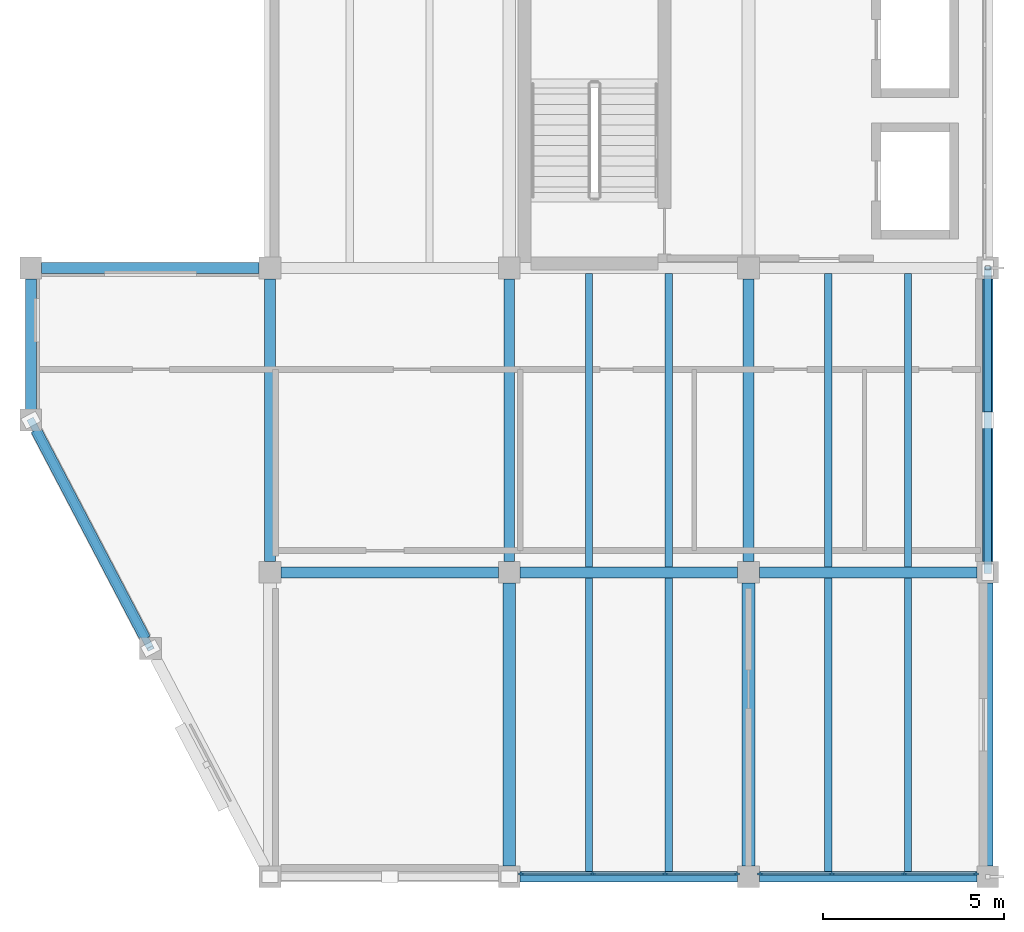
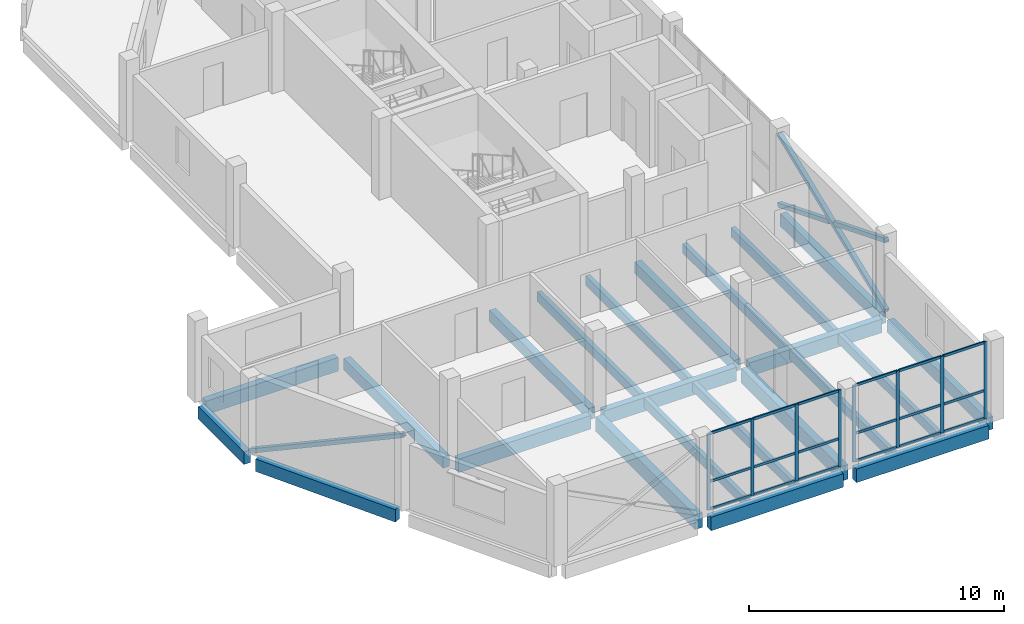
# One storey, part 2 of 10: 30 members, 23 beams, 2 elements without a shape of their own.
"""IFC4 building model written with IfcOpenShell, lengths in metres."""

from ifc_helpers import new_model, si_unit, direction, frame, origin, origin_2d, place, context, subcontext, project, spatial, rectangle, hollow_rectangle, extrude, material, material_profile, profile_set, type_object, element, aggregate, save


model = new_model("IFC4")

# Units and contexts
model_context = context("Model", 3, precision=1e-05, world=origin(), true_north=direction((0.0, 1.0)))
body_context = subcontext(model_context, "Body", "Model", "MODEL_VIEW")
ifc_project = project(units=[si_unit("LENGTHUNIT", "METRE"), si_unit("AREAUNIT", "SQUARE_METRE"), si_unit("VOLUMEUNIT", "CUBIC_METRE"), si_unit("PLANEANGLEUNIT", "RADIAN"), si_unit("MASSUNIT", "GRAM", prefix="KILO")], contexts=[model_context])

# Site, building, storey
site_placement = place(None, origin())
site = spatial("IfcSite", under=ifc_project, at=site_placement, CompositionType="ELEMENT")
building_placement = place(site_placement, origin())
building = spatial("IfcBuilding", under=site, at=building_placement, Name="Qaldarim Faculty of Natural and Applied Sciences", CompositionType="ELEMENT")
storey_placement = place(building_placement, frame((0.0, 0.0, 39.300048828125)))
storey = spatial("IfcBuildingStorey", under=building, at=storey_placement, Name="L09", CompositionType="ELEMENT", Elevation=39.300048828125)

# Beams
ifc_material_1 = material(Name="Concrete C40/50", Category="concrete")
ifc_material_profile_1 = material_profile(ifc_material_1, rectangle(XDim=0.300048828125, YDim=0.550048828125, at=origin_2d()), Name="RC-B300x550")
ifc_profile_set_1 = profile_set([ifc_material_profile_1], Name="Concrete C40/50")
beam_type_1 = type_object("IfcBeamType", Name="FloorBeam-RC300x550", PredefinedType="BEAM", material=ifc_profile_set_1)
for number, where, z_axis, x_axis, name in (
    (1, (158.39990234375, 8.699951171875, -0.4951171875), (0.0, 1.0, 0.0), (-1.0, 0.0, 0.0), "Beam RC-B300x550 L08 X25/Y02-Y03"),
    (2, (165.0, 8.699951171875, -0.4951171875), (0.0, 1.0, 0.0), (-1.0, 0.0, 0.0), "Beam RC-B300x550 L08 X26/Y02-Y03"),
    (3, (171.60009765625, 8.699951171875, -0.4951171875), (0.0, 1.0, 0.0), (-1.0, 0.0, 0.0), "Beam RC-B300x550 L08 X27/Y02-Y03"),
):
    element("IfcBeam", number, at=place(storey_placement, frame(where, z_axis=z_axis, x_axis=x_axis)), inside=storey, type_object=beam_type_1, Name=name, PredefinedType="BEAM", context=body_context, shape_type="SweptSolid", body=[
        extrude(rectangle(XDim=0.300048828125, YDim=0.550048828125, at=origin_2d()), origin(), (0.0, 0.0, 1.0), 7.800048828125),
    ])
ifc_material_profile_2 = material_profile(ifc_material_1, rectangle(XDim=0.199951171875, YDim=0.449951171875, at=origin_2d()), Name="RC-J200x450")
ifc_profile_set_2 = profile_set([ifc_material_profile_2], Name="Concrete C40/50")
beam_type_2 = type_object("IfcBeamType", Name="LabJoist-RC200x450", PredefinedType="JOIST", material=ifc_profile_set_2)
for number, where, z_axis, x_axis, name in (
    (4, (167.199951171875, 0.14990234375, -0.445068359375), (0.0, 1.0, 0.0), (-1.0, 0.0, 0.0), "Laboratory joist L08 bay X26Y01-1"),
    (5, (169.39990234375, 0.14990234375, -0.445068359375), (0.0, 1.0, 0.0), (-1.0, 0.0, 0.0), "Laboratory joist L08 bay X26Y01-2"),
):
    element("IfcBeam", number, at=place(storey_placement, frame(where, z_axis=z_axis, x_axis=x_axis)), inside=storey, type_object=beam_type_2, Name=name, PredefinedType="JOIST", context=body_context, shape_type="SweptSolid", body=[
        extrude(rectangle(XDim=0.199951171875, YDim=0.449951171875, at=origin_2d()), origin(), (0.0, 0.0, 1.0), 8.10009765625),
    ])
for number, where, z_axis, x_axis, name in (
    (6, (167.199951171875, 8.550048828125, -0.445068359375), (0.0, 1.0, 0.0), (-1.0, 0.0, 0.0), "Laboratory joist L08 bay X26Y02-1"),
    (7, (169.39990234375, 8.550048828125, -0.445068359375), (0.0, 1.0, 0.0), (-1.0, 0.0, 0.0), "Laboratory joist L08 bay X26Y02-2"),
):
    element("IfcBeam", number, at=place(storey_placement, frame(where, z_axis=z_axis, x_axis=x_axis)), inside=storey, type_object=beam_type_2, Name=name, PredefinedType="JOIST", context=body_context, shape_type="SweptSolid", body=[
        extrude(rectangle(XDim=0.199951171875, YDim=0.449951171875, at=origin_2d()), origin(), (0.0, 0.0, 1.0), 8.099853515625),
    ])
for number, where, z_axis, x_axis, name in (
    (8, (173.800048828125, 0.14990234375, -0.445068359375), (0.0, 1.0, 0.0), (-1.0, 0.0, 0.0), "Laboratory joist L08 bay X27Y01-1"),
    (9, (176.0, 0.14990234375, -0.445068359375), (0.0, 1.0, 0.0), (-1.0, 0.0, 0.0), "Laboratory joist L08 bay X27Y01-2"),
):
    element("IfcBeam", number, at=place(storey_placement, frame(where, z_axis=z_axis, x_axis=x_axis)), inside=storey, type_object=beam_type_2, Name=name, PredefinedType="JOIST", context=body_context, shape_type="SweptSolid", body=[
        extrude(rectangle(XDim=0.199951171875, YDim=0.449951171875, at=origin_2d()), origin(), (0.0, 0.0, 1.0), 8.10009765625),
    ])
for number, where, z_axis, x_axis, name in (
    (10, (173.800048828125, 8.550048828125, -0.445068359375), (0.0, 1.0, 0.0), (-1.0, 0.0, 0.0), "Laboratory joist L08 bay X27Y02-1"),
    (11, (176.0, 8.550048828125, -0.445068359375), (0.0, 1.0, 0.0), (-1.0, 0.0, 0.0), "Laboratory joist L08 bay X27Y02-2"),
):
    element("IfcBeam", number, at=place(storey_placement, frame(where, z_axis=z_axis, x_axis=x_axis)), inside=storey, type_object=beam_type_2, Name=name, PredefinedType="JOIST", context=body_context, shape_type="SweptSolid", body=[
        extrude(rectangle(XDim=0.199951171875, YDim=0.449951171875, at=origin_2d()), origin(), (0.0, 0.0, 1.0), 8.099853515625),
    ])

# Curtain wall, members
ifc_material_2 = material(Name="Anodised aluminium AW-6063", Category="aluminium")
curtain_wall_type = type_object("IfcCurtainWallType", Name="CurtainWallSystem-M1950", PredefinedType="USERDEFINED", material=ifc_material_2)
curtain_wall_1_placement = place(storey_placement, origin())
curtain_wall_1 = element("IfcCurtainWall", 12, at=curtain_wall_1_placement, inside=storey, type_object=curtain_wall_type, Name="Curtain wall CW-L09-S-X26Y01", ObjectType="UNITISED FACADE", PredefinedType="USERDEFINED")
ifc_material_profile_3 = material_profile(ifc_material_2, rectangle(XDim=0.06005859375, YDim=0.14990234375, at=origin_2d()), Name="ALU-M60x150")
ifc_profile_set_3 = profile_set([ifc_material_profile_3], Name="Anodised aluminium AW-6063")
member_type_1 = type_object("IfcMemberType", Name="Mullion-ALU60x150", PredefinedType="MULLION", material=ifc_profile_set_3)
member_1_placement = place(storey_placement, frame((165.324951171875, 0.080078125, 0.0), z_axis=(0.0, 0.0, 1.0), x_axis=(0.0, 1.0, 0.0)))
member_1 = element("IfcMember", 13, at=member_1_placement, type_object=member_type_1, Name="Mullion 1 of CW-L09-S-X26Y01", PredefinedType="MULLION", context=body_context, shape_type="SweptSolid", body=[
    extrude(rectangle(XDim=0.06005859375, YDim=0.14990234375, at=origin_2d()), origin(), (0.0, 0.0, 1.0), 3.679931640625),
])
member_2_placement = place(storey_placement, frame((167.29833984375, 0.080078125, 0.0), z_axis=(0.0, 0.0, 1.0), x_axis=(0.0, 1.0, 0.0)))
member_2 = element("IfcMember", 14, at=member_2_placement, type_object=member_type_1, Name="Mullion 2 of CW-L09-S-X26Y01", PredefinedType="MULLION", context=body_context, shape_type="SweptSolid", body=[
    extrude(rectangle(XDim=0.06005859375, YDim=0.14990234375, at=origin_2d()), origin(), (0.0, 0.0, 1.0), 3.679931640625),
])
member_3_placement = place(storey_placement, frame((169.3017578125, 0.080078125, 0.0), z_axis=(0.0, 0.0, 1.0), x_axis=(0.0, 1.0, 0.0)))
member_3 = element("IfcMember", 15, at=member_3_placement, type_object=member_type_1, Name="Mullion 3 of CW-L09-S-X26Y01", PredefinedType="MULLION", context=body_context, shape_type="SweptSolid", body=[
    extrude(rectangle(XDim=0.06005859375, YDim=0.14990234375, at=origin_2d()), origin(), (0.0, 0.0, 1.0), 3.679931640625),
])
member_4_placement = place(storey_placement, frame((171.27490234375, 0.080078125, 0.0), z_axis=(0.0, 0.0, 1.0), x_axis=(0.0, 1.0, 0.0)))
member_4 = element("IfcMember", 16, at=member_4_placement, type_object=member_type_1, Name="Mullion 4 of CW-L09-S-X26Y01", PredefinedType="MULLION", context=body_context, shape_type="SweptSolid", body=[
    extrude(rectangle(XDim=0.06005859375, YDim=0.14990234375, at=origin_2d()), origin(), (0.0, 0.0, 1.0), 3.679931640625),
])

curtain_wall_2_placement = place(storey_placement, origin())
curtain_wall_2 = element("IfcCurtainWall", 17, at=curtain_wall_2_placement, inside=storey, type_object=curtain_wall_type, Name="Curtain wall CW-L09-S-X27Y01", ObjectType="UNITISED FACADE", PredefinedType="USERDEFINED")
member_5_placement = place(storey_placement, frame((171.925048828125, 0.080078125, 0.0), z_axis=(0.0, 0.0, 1.0), x_axis=(0.0, 1.0, 0.0)))
member_5 = element("IfcMember", 18, at=member_5_placement, type_object=member_type_1, Name="Mullion 1 of CW-L09-S-X27Y01", PredefinedType="MULLION", context=body_context, shape_type="SweptSolid", body=[
    extrude(rectangle(XDim=0.06005859375, YDim=0.14990234375, at=origin_2d()), origin(), (0.0, 0.0, 1.0), 3.679931640625),
])
member_6_placement = place(storey_placement, frame((173.898193359375, 0.080078125, 0.0), z_axis=(0.0, 0.0, 1.0), x_axis=(0.0, 1.0, 0.0)))
member_6 = element("IfcMember", 19, at=member_6_placement, type_object=member_type_1, Name="Mullion 2 of CW-L09-S-X27Y01", PredefinedType="MULLION", context=body_context, shape_type="SweptSolid", body=[
    extrude(rectangle(XDim=0.06005859375, YDim=0.14990234375, at=origin_2d()), origin(), (0.0, 0.0, 1.0), 3.679931640625),
])
member_7_placement = place(storey_placement, frame((175.901611328125, 0.080078125, 0.0), z_axis=(0.0, 0.0, 1.0), x_axis=(0.0, 1.0, 0.0)))
member_7 = element("IfcMember", 20, at=member_7_placement, type_object=member_type_1, Name="Mullion 3 of CW-L09-S-X27Y01", PredefinedType="MULLION", context=body_context, shape_type="SweptSolid", body=[
    extrude(rectangle(XDim=0.06005859375, YDim=0.14990234375, at=origin_2d()), origin(), (0.0, 0.0, 1.0), 3.679931640625),
])
member_8_placement = place(storey_placement, frame((177.875, 0.080078125, 0.0), z_axis=(0.0, 0.0, 1.0), x_axis=(0.0, 1.0, 0.0)))
member_8 = element("IfcMember", 21, at=member_8_placement, type_object=member_type_1, Name="Mullion 4 of CW-L09-S-X27Y01", PredefinedType="MULLION", context=body_context, shape_type="SweptSolid", body=[
    extrude(rectangle(XDim=0.06005859375, YDim=0.14990234375, at=origin_2d()), origin(), (0.0, 0.0, 1.0), 3.679931640625),
])

# Beams
ifc_material_profile_4 = material_profile(ifc_material_1, rectangle(XDim=0.300048828125, YDim=0.64990234375, at=origin_2d()), Name="RC-B300x650")
ifc_profile_set_4 = profile_set([ifc_material_profile_4], Name="Concrete C40/50")
beam_type_3 = type_object("IfcBeamType", Name="PrimaryBeam-RC300x650", PredefinedType="BEAM", material=ifc_profile_set_4)
for number, where, z_axis, x_axis, name in (
    (22, (165.300048828125, 0.0, -0.545166015625), (1.0, 0.0, 0.0), (0.0, 1.0, 0.0), "Beam RC-B300x650 L08 X26-X27/Y01"),
    (23, (171.89990234375, 0.0, -0.545166015625), (1.0, 0.0, 0.0), (0.0, 1.0, 0.0), "Beam RC-B300x650 L08 X27-X28/Y01"),
    (24, (158.699951171875, 8.39990234375, -0.545166015625), (1.0, 0.0, 0.0), (0.0, 1.0, 0.0), "Beam RC-B300x650 L08 X25-X26/Y02"),
    (25, (165.300048828125, 8.39990234375, -0.545166015625), (1.0, 0.0, 0.0), (0.0, 1.0, 0.0), "Beam RC-B300x650 L08 X26-X27/Y02"),
    (26, (171.89990234375, 8.39990234375, -0.545166015625), (1.0, 0.0, 0.0), (0.0, 1.0, 0.0), "Beam RC-B300x650 L08 X27-X28/Y02"),
    (27, (152.10009765625, 16.800048828125, -0.545166015625), (1.0, 0.0, 0.0), (0.0, 1.0, 0.0), "Beam RC-B300x650 L08 X24-X25/Y03"),
):
    element("IfcBeam", number, at=place(storey_placement, frame(where, z_axis=z_axis, x_axis=x_axis)), inside=storey, type_object=beam_type_3, Name=name, PredefinedType="BEAM", context=body_context, shape_type="SweptSolid", body=[
        extrude(rectangle(XDim=0.300048828125, YDim=0.64990234375, at=origin_2d()), origin(), (0.0, 0.0, 1.0), 6.0),
    ])
ifc_material_profile_5 = material_profile(ifc_material_1, rectangle(XDim=0.35009765625, YDim=0.699951171875, at=origin_2d()), Name="RC-B350x700")
ifc_profile_set_5 = profile_set([ifc_material_profile_5], Name="Concrete C40/50")
beam_type_4 = type_object("IfcBeamType", Name="PrimaryGirder-RC350x700", PredefinedType="BEAM", material=ifc_profile_set_5)
for number, where, z_axis, x_axis, name in (
    (28, (165.0, 0.300048828125, -0.570068359375), (0.0, 1.0, 0.0), (-1.0, 0.0, 0.0), "Beam RC-B350x700 L08 X26/Y01-Y02"),
    (29, (171.60009765625, 0.300048828125, -0.570068359375), (0.0, 1.0, 0.0), (-1.0, 0.0, 0.0), "Beam RC-B350x700 L08 X27/Y01-Y02"),
):
    element("IfcBeam", number, at=place(storey_placement, frame(where, z_axis=z_axis, x_axis=x_axis)), inside=storey, type_object=beam_type_4, Name=name, PredefinedType="BEAM", context=body_context, shape_type="SweptSolid", body=[
        extrude(rectangle(XDim=0.35009765625, YDim=0.699951171875, at=origin_2d()), origin(), (0.0, 0.0, 1.0), 7.800048828125),
    ])
ifc_material_3 = material(Name="Precast concrete C40/50", Category="concrete")
ifc_material_profile_6 = material_profile(ifc_material_3, rectangle(XDim=0.300048828125, YDim=0.60009765625, at=origin_2d()), Name="RC-SP300x600")
ifc_profile_set_6 = profile_set([ifc_material_profile_6], Name="Precast concrete C40/50")
beam_type_5 = type_object("IfcBeamType", Name="SpandrelBeam-RC300x600", PredefinedType="SPANDREL", material=ifc_profile_set_6)
for number, where, z_axis, x_axis, name in (
    (30, (178.199951171875, 0.300048828125, -0.52001953125), (0.0, 1.0, 0.0), (-1.0, 0.0, 0.0), "Beam RC-SP300x600 L08 X28/Y01-Y02"),
    (31, (178.199951171875, 8.699951171875, -0.52001953125), (0.0, 1.0, 0.0), (-1.0, 0.0, 0.0), "Beam RC-SP300x600 L08 X28/Y02-Y03"),
):
    element("IfcBeam", number, at=place(storey_placement, frame(where, z_axis=z_axis, x_axis=x_axis)), inside=storey, type_object=beam_type_5, Name=name, PredefinedType="SPANDREL", context=body_context, shape_type="SweptSolid", body=[
        extrude(rectangle(XDim=0.300048828125, YDim=0.60009765625, at=origin_2d()), origin(), (0.0, 0.0, 1.0), 7.800048828125),
    ])
beam_1_placement = place(storey_placement, frame((151.800048828125, 16.5, -0.52001953125), z_axis=(0.0, -1.0, 0.0), x_axis=(1.0, 0.0, 0.0)))
element("IfcBeam", 32, at=beam_1_placement, inside=storey, type_object=beam_type_5, Name="Oblique SW chamfer spandrel L08 1", PredefinedType="SPANDREL", context=body_context, shape_type="SweptSolid", body=[
    extrude(rectangle(XDim=0.300048828125, YDim=0.60009765625, at=origin_2d()), origin(), (0.0, 0.0, 1.0), 3.60009765625),
])
beam_2_placement = place(storey_placement, frame((151.93994140625, 12.330078125, -0.52001953125), z_axis=(0.464353423794, -0.885649986061, 0.0), x_axis=(0.885649986061, 0.464353423794, 0.0)))
element("IfcBeam", 33, at=beam_2_placement, inside=storey, type_object=beam_type_5, Name="Oblique SW chamfer spandrel L08 2", PredefinedType="SPANDREL", context=body_context, shape_type="SweptSolid", body=[
    extrude(rectangle(XDim=0.300048828125, YDim=0.60009765625, at=origin_2d()), origin(), (0.0, 0.0, 1.0), 6.503662109375),
])

# Member
ifc_material_profile_7 = material_profile(ifc_material_2, rectangle(XDim=0.06005859375, YDim=0.1201171875, at=origin_2d()), Name="ALU-T60x120")
ifc_profile_set_7 = profile_set([ifc_material_profile_7], Name="Anodised aluminium AW-6063")
member_type_2 = type_object("IfcMemberType", Name="Transom-ALU60x120", PredefinedType="USERDEFINED", material=ifc_profile_set_7)
member_9_placement = place(storey_placement, frame((165.35498046875, 0.080078125, 0.030029296875), z_axis=(1.0, 0.0, 0.0), x_axis=(0.0, 1.0, 0.0)))
member_9 = element("IfcMember", 34, at=member_9_placement, type_object=member_type_2, Name="Transom 1-1 of CW-L09-S-X26Y01", ObjectType="TRANSOM", PredefinedType="USERDEFINED", context=body_context, shape_type="SweptSolid", body=[
    extrude(rectangle(XDim=0.06005859375, YDim=0.1201171875, at=origin_2d()), origin(), (0.0, 0.0, 1.0), 1.913330078125),
])

member_10_placement = place(storey_placement, frame((165.35498046875, 0.080078125, 1.349853515625), z_axis=(1.0, 0.0, 0.0), x_axis=(0.0, 1.0, 0.0)))
member_10 = element("IfcMember", 35, at=member_10_placement, type_object=member_type_2, Name="Transom 1-2 of CW-L09-S-X26Y01", ObjectType="TRANSOM", PredefinedType="USERDEFINED", context=body_context, shape_type="SweptSolid", body=[
    extrude(rectangle(XDim=0.06005859375, YDim=0.1201171875, at=origin_2d()), origin(), (0.0, 0.0, 1.0), 1.913330078125),
])

member_11_placement = place(storey_placement, frame((165.35498046875, 0.080078125, 3.64990234375), z_axis=(1.0, 0.0, 0.0), x_axis=(0.0, 1.0, 0.0)))
member_11 = element("IfcMember", 36, at=member_11_placement, type_object=member_type_2, Name="Transom 1-3 of CW-L09-S-X26Y01", ObjectType="TRANSOM", PredefinedType="USERDEFINED", context=body_context, shape_type="SweptSolid", body=[
    extrude(rectangle(XDim=0.06005859375, YDim=0.1201171875, at=origin_2d()), origin(), (0.0, 0.0, 1.0), 1.913330078125),
])

member_12_placement = place(storey_placement, frame((167.328369140625, 0.080078125, 0.030029296875), z_axis=(1.0, 0.0, 0.0), x_axis=(0.0, 1.0, 0.0)))
member_12 = element("IfcMember", 37, at=member_12_placement, type_object=member_type_2, Name="Transom 2-1 of CW-L09-S-X26Y01", ObjectType="TRANSOM", PredefinedType="USERDEFINED", context=body_context, shape_type="SweptSolid", body=[
    extrude(rectangle(XDim=0.06005859375, YDim=0.1201171875, at=origin_2d()), origin(), (0.0, 0.0, 1.0), 1.943359375),
])

member_13_placement = place(storey_placement, frame((167.328369140625, 0.080078125, 1.349853515625), z_axis=(1.0, 0.0, 0.0), x_axis=(0.0, 1.0, 0.0)))
member_13 = element("IfcMember", 38, at=member_13_placement, type_object=member_type_2, Name="Transom 2-2 of CW-L09-S-X26Y01", ObjectType="TRANSOM", PredefinedType="USERDEFINED", context=body_context, shape_type="SweptSolid", body=[
    extrude(rectangle(XDim=0.06005859375, YDim=0.1201171875, at=origin_2d()), origin(), (0.0, 0.0, 1.0), 1.943359375),
])

member_14_placement = place(storey_placement, frame((167.328369140625, 0.080078125, 3.64990234375), z_axis=(1.0, 0.0, 0.0), x_axis=(0.0, 1.0, 0.0)))
member_14 = element("IfcMember", 39, at=member_14_placement, type_object=member_type_2, Name="Transom 2-3 of CW-L09-S-X26Y01", ObjectType="TRANSOM", PredefinedType="USERDEFINED", context=body_context, shape_type="SweptSolid", body=[
    extrude(rectangle(XDim=0.06005859375, YDim=0.1201171875, at=origin_2d()), origin(), (0.0, 0.0, 1.0), 1.943359375),
])

member_15_placement = place(storey_placement, frame((169.331787109375, 0.080078125, 0.030029296875), z_axis=(1.0, 0.0, 0.0), x_axis=(0.0, 1.0, 0.0)))
member_15 = element("IfcMember", 40, at=member_15_placement, type_object=member_type_2, Name="Transom 3-1 of CW-L09-S-X26Y01", ObjectType="TRANSOM", PredefinedType="USERDEFINED", context=body_context, shape_type="SweptSolid", body=[
    extrude(rectangle(XDim=0.06005859375, YDim=0.1201171875, at=origin_2d()), origin(), (0.0, 0.0, 1.0), 1.913330078125),
])

member_16_placement = place(storey_placement, frame((169.331787109375, 0.080078125, 1.349853515625), z_axis=(1.0, 0.0, 0.0), x_axis=(0.0, 1.0, 0.0)))
member_16 = element("IfcMember", 41, at=member_16_placement, type_object=member_type_2, Name="Transom 3-2 of CW-L09-S-X26Y01", ObjectType="TRANSOM", PredefinedType="USERDEFINED", context=body_context, shape_type="SweptSolid", body=[
    extrude(rectangle(XDim=0.06005859375, YDim=0.1201171875, at=origin_2d()), origin(), (0.0, 0.0, 1.0), 1.913330078125),
])

member_17_placement = place(storey_placement, frame((169.331787109375, 0.080078125, 3.64990234375), z_axis=(1.0, 0.0, 0.0), x_axis=(0.0, 1.0, 0.0)))
member_17 = element("IfcMember", 42, at=member_17_placement, type_object=member_type_2, Name="Transom 3-3 of CW-L09-S-X26Y01", ObjectType="TRANSOM", PredefinedType="USERDEFINED", context=body_context, shape_type="SweptSolid", body=[
    extrude(rectangle(XDim=0.06005859375, YDim=0.1201171875, at=origin_2d()), origin(), (0.0, 0.0, 1.0), 1.913330078125),
])

aggregate(curtain_wall_1, [member_1, member_2, member_3, member_4, member_9, member_10, member_11, member_12, member_13, member_14, member_15, member_16, member_17])

member_18_placement = place(storey_placement, frame((171.955078125, 0.080078125, 0.030029296875), z_axis=(1.0, 0.0, 0.0), x_axis=(0.0, 1.0, 0.0)))
member_18 = element("IfcMember", 43, at=member_18_placement, type_object=member_type_2, Name="Transom 1-1 of CW-L09-S-X27Y01", ObjectType="TRANSOM", PredefinedType="USERDEFINED", context=body_context, shape_type="SweptSolid", body=[
    extrude(rectangle(XDim=0.06005859375, YDim=0.1201171875, at=origin_2d()), origin(), (0.0, 0.0, 1.0), 1.913330078125),
])

member_19_placement = place(storey_placement, frame((171.955078125, 0.080078125, 1.349853515625), z_axis=(1.0, 0.0, 0.0), x_axis=(0.0, 1.0, 0.0)))
member_19 = element("IfcMember", 44, at=member_19_placement, type_object=member_type_2, Name="Transom 1-2 of CW-L09-S-X27Y01", ObjectType="TRANSOM", PredefinedType="USERDEFINED", context=body_context, shape_type="SweptSolid", body=[
    extrude(rectangle(XDim=0.06005859375, YDim=0.1201171875, at=origin_2d()), origin(), (0.0, 0.0, 1.0), 1.913330078125),
])

member_20_placement = place(storey_placement, frame((171.955078125, 0.080078125, 3.64990234375), z_axis=(1.0, 0.0, 0.0), x_axis=(0.0, 1.0, 0.0)))
member_20 = element("IfcMember", 45, at=member_20_placement, type_object=member_type_2, Name="Transom 1-3 of CW-L09-S-X27Y01", ObjectType="TRANSOM", PredefinedType="USERDEFINED", context=body_context, shape_type="SweptSolid", body=[
    extrude(rectangle(XDim=0.06005859375, YDim=0.1201171875, at=origin_2d()), origin(), (0.0, 0.0, 1.0), 1.913330078125),
])

member_21_placement = place(storey_placement, frame((173.92822265625, 0.080078125, 0.030029296875), z_axis=(1.0, 0.0, 0.0), x_axis=(0.0, 1.0, 0.0)))
member_21 = element("IfcMember", 46, at=member_21_placement, type_object=member_type_2, Name="Transom 2-1 of CW-L09-S-X27Y01", ObjectType="TRANSOM", PredefinedType="USERDEFINED", context=body_context, shape_type="SweptSolid", body=[
    extrude(rectangle(XDim=0.06005859375, YDim=0.1201171875, at=origin_2d()), origin(), (0.0, 0.0, 1.0), 1.943359375),
])

member_22_placement = place(storey_placement, frame((173.92822265625, 0.080078125, 1.349853515625), z_axis=(1.0, 0.0, 0.0), x_axis=(0.0, 1.0, 0.0)))
member_22 = element("IfcMember", 47, at=member_22_placement, type_object=member_type_2, Name="Transom 2-2 of CW-L09-S-X27Y01", ObjectType="TRANSOM", PredefinedType="USERDEFINED", context=body_context, shape_type="SweptSolid", body=[
    extrude(rectangle(XDim=0.06005859375, YDim=0.1201171875, at=origin_2d()), origin(), (0.0, 0.0, 1.0), 1.943359375),
])

member_23_placement = place(storey_placement, frame((173.92822265625, 0.080078125, 3.64990234375), z_axis=(1.0, 0.0, 0.0), x_axis=(0.0, 1.0, 0.0)))
member_23 = element("IfcMember", 48, at=member_23_placement, type_object=member_type_2, Name="Transom 2-3 of CW-L09-S-X27Y01", ObjectType="TRANSOM", PredefinedType="USERDEFINED", context=body_context, shape_type="SweptSolid", body=[
    extrude(rectangle(XDim=0.06005859375, YDim=0.1201171875, at=origin_2d()), origin(), (0.0, 0.0, 1.0), 1.943359375),
])

member_24_placement = place(storey_placement, frame((175.931640625, 0.080078125, 0.030029296875), z_axis=(1.0, 0.0, 0.0), x_axis=(0.0, 1.0, 0.0)))
member_24 = element("IfcMember", 49, at=member_24_placement, type_object=member_type_2, Name="Transom 3-1 of CW-L09-S-X27Y01", ObjectType="TRANSOM", PredefinedType="USERDEFINED", context=body_context, shape_type="SweptSolid", body=[
    extrude(rectangle(XDim=0.06005859375, YDim=0.1201171875, at=origin_2d()), origin(), (0.0, 0.0, 1.0), 1.913330078125),
])

member_25_placement = place(storey_placement, frame((175.931640625, 0.080078125, 1.349853515625), z_axis=(1.0, 0.0, 0.0), x_axis=(0.0, 1.0, 0.0)))
member_25 = element("IfcMember", 50, at=member_25_placement, type_object=member_type_2, Name="Transom 3-2 of CW-L09-S-X27Y01", ObjectType="TRANSOM", PredefinedType="USERDEFINED", context=body_context, shape_type="SweptSolid", body=[
    extrude(rectangle(XDim=0.06005859375, YDim=0.1201171875, at=origin_2d()), origin(), (0.0, 0.0, 1.0), 1.913330078125),
])

member_26_placement = place(storey_placement, frame((175.931640625, 0.080078125, 3.64990234375), z_axis=(1.0, 0.0, 0.0), x_axis=(0.0, 1.0, 0.0)))
member_26 = element("IfcMember", 51, at=member_26_placement, type_object=member_type_2, Name="Transom 3-3 of CW-L09-S-X27Y01", ObjectType="TRANSOM", PredefinedType="USERDEFINED", context=body_context, shape_type="SweptSolid", body=[
    extrude(rectangle(XDim=0.06005859375, YDim=0.1201171875, at=origin_2d()), origin(), (0.0, 0.0, 1.0), 1.913330078125),
])

aggregate(curtain_wall_2, [member_5, member_6, member_7, member_8, member_18, member_19, member_20, member_21, member_22, member_23, member_24, member_25, member_26])

# Members
ifc_material_4 = material(Name="Structural steel S355", Category="steel")
ifc_material_profile_8 = material_profile(ifc_material_4, hollow_rectangle(XDim=0.199951171875, YDim=0.199951171875, WallThickness=0.012451171875, at=origin_2d()), Name="SHS 200x200x12.5")
ifc_profile_set_8 = profile_set([ifc_material_profile_8], Name="Structural steel S355")
member_type_3 = type_object("IfcMemberType", Name="UpperWingBrace-SHS200x12-5", PredefinedType="BRACE", material=ifc_profile_set_8)
member_27_placement = place(storey_placement, frame((178.199951171875, 8.39990234375, 0.0), z_axis=(0.0, 0.927719805356, 0.373277326862), x_axis=(-1.0, 0.0, 0.0)))
element("IfcMember", 52, at=member_27_placement, inside=storey, type_object=member_type_3, Name="East diagrid L09 primary brace L", PredefinedType="BRACE", context=body_context, shape_type="SweptSolid", body=[
    extrude(hollow_rectangle(XDim=0.199951171875, YDim=0.199951171875, WallThickness=0.012451171875, at=origin_2d()), origin(), (0.0, 0.0, 1.0), 9.0546875),
])
for number, where, z_axis, x_axis, name in (
    (53, (178.199951171875, 16.800048828125, 0.0), (0.0, -0.927527692775, 0.373754436944), (1.0, 0.0, 0.0), "East diagrid L09 split secondary lower brace R1"),
    (54, (178.199951171875, 12.39501953125, 1.77001953125), (0.0, -0.927527692775, 0.373754436944), (1.0, 0.0, 0.0), "East diagrid L09 split secondary upper brace R2"),
):
    element("IfcMember", number, at=place(storey_placement, frame(where, z_axis=z_axis, x_axis=x_axis)), inside=storey, type_object=member_type_3, Name=name, PredefinedType="BRACE", context=body_context, shape_type="SweptSolid", body=[
        extrude(hollow_rectangle(XDim=0.199951171875, YDim=0.199951171875, WallThickness=0.012451171875, at=origin_2d()), origin(), (0.0, 0.0, 1.0), 4.307373046875),
    ])
member_28_placement = place(storey_placement, frame((151.800048828125, 12.60009765625, 0.0), z_axis=(0.418174176605, -0.798326894082, 0.433364198113), x_axis=(0.885830191482, 0.464009560095, 0.0)))
element("IfcMember", 55, at=member_28_placement, inside=storey, type_object=member_type_3, Name="Oblique SW chamfer exoskeleton brace L09 1", PredefinedType="BRACE", context=body_context, shape_type="SweptSolid", body=[
    extrude(hollow_rectangle(XDim=0.199951171875, YDim=0.199951171875, WallThickness=0.012451171875, at=origin_2d()), origin(), (0.0, 0.0, 1.0), 7.8916015625),
])

save(model, "model.ifc")
